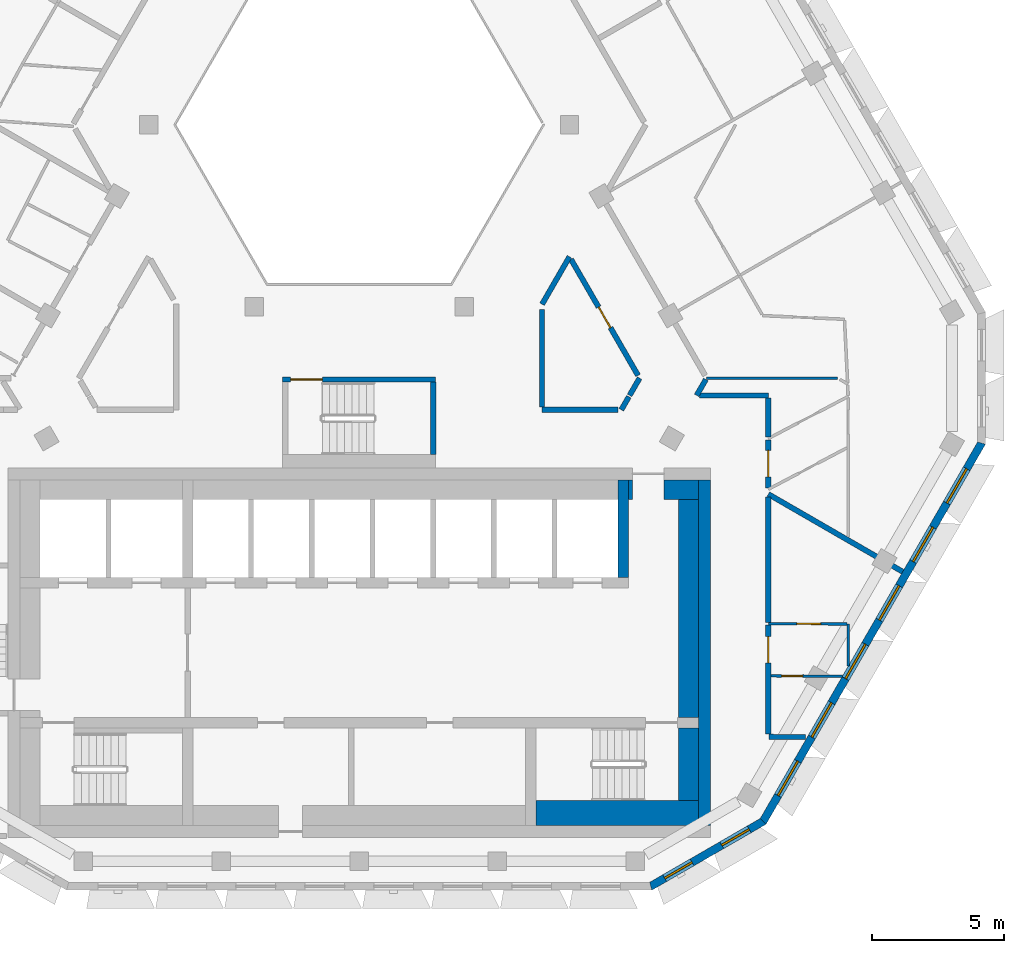
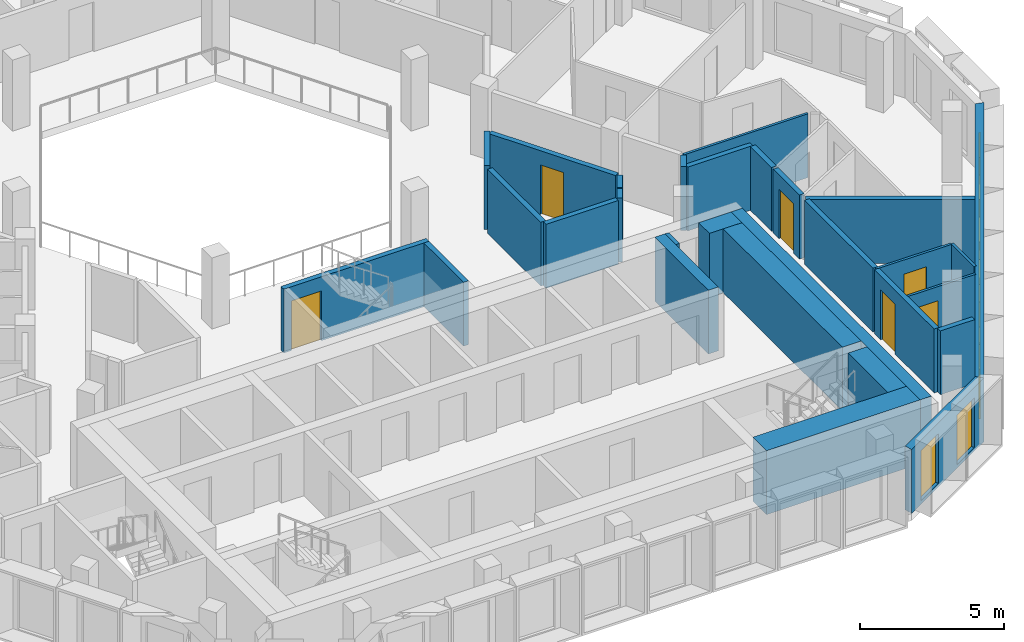
# One storey, part 6 of 16: 29 walls, 8 windows, 6 doors, 14 openings.
"""IFC4 building model written with IfcOpenShell, lengths in metres."""

from ifc_helpers import new_model, si_unit, direction, frame, frame_2d, origin, place, context, subcontext, project, spatial, polyline, rectangle, outline, extrude, material, layer, layer_set, type_object, element, fill, save


model = new_model("IFC4")

# Units and contexts
model_context = context("Model", 3, precision=1e-05, world=origin(), true_north=direction((0.0, 1.0)))
body_context = subcontext(model_context, "Body", "Model", "MODEL_VIEW")
ifc_project = project(units=[si_unit("LENGTHUNIT", "METRE"), si_unit("AREAUNIT", "SQUARE_METRE"), si_unit("VOLUMEUNIT", "CUBIC_METRE"), si_unit("PLANEANGLEUNIT", "RADIAN"), si_unit("MASSUNIT", "GRAM", prefix="KILO")], contexts=[model_context])

# Site, building, storey
site_placement = place(None, origin())
site = spatial("IfcSite", under=ifc_project, at=site_placement, CompositionType="ELEMENT")
building_placement = place(site_placement, origin())
building = spatial("IfcBuilding", under=site, at=building_placement, Name="Beryl Residences", CompositionType="ELEMENT")
storey_placement = place(building_placement, frame((0.0, 0.0, 214.800048828125)))
storey = spatial("IfcBuildingStorey", under=building, at=storey_placement, Name="L66", CompositionType="ELEMENT", Elevation=214.800048828125)

# Wall, openings, windows
ifc_material_1 = material(Name="Composite metal panel with mineral wool insulation")
ifc_layer_1 = layer(ifc_material_1, 0.300048828125)
ifc_layer_set_1 = layer_set([ifc_layer_1], Name="ES1 pale metal composite panel wall 300 mm")
wall_type_1 = type_object("IfcWallType", Name="ES1 pale metal composite panel wall 300 mm", PredefinedType="SOLIDWALL", material=ifc_layer_set_1)
wall_1_placement = place(storey_placement, frame((11.010009765625, -20.8701171875, 0.0), z_axis=(0.0, 0.0, 1.0), x_axis=(0.866022959057, 0.500004234368, 0.0)))
wall_1 = element("IfcWall", 1, at=wall_1_placement, inside=storey, type_object=wall_type_1, Name="ES1 external wall L66 S-SE", PredefinedType="SOLIDWALL", context=body_context, shape_type="SweptSolid", body=[
    extrude(outline(polyline([(0.0, -0.14990234375), (5.0, -0.14990234375), (4.919677734375, 0.14990234375), (0.080322265625, 0.14990234375), (0.0, -0.14990234375)])), origin(), (0.0, 0.0, 1.0), 2.699951171875),
])
opening_1_placement = place(wall_1_placement, frame((0.64990234375, 0.0, 0.14990234375)))
opening_1 = element("IfcOpeningElement", 2, at=opening_1_placement, cuts=wall_1, Name="Opening W2", PredefinedType="OPENING", context=body_context, shape_type="SweptSolid", body=[
    extrude(rectangle(XDim=1.199951171875, YDim=2.10009765625, at=frame_2d((0.60009765625, 1.050048828125))), frame((0.0, 0.159912109375, 0.0), z_axis=(0.0, -1.0, 0.0), x_axis=(1.0, 0.0, 0.0)), (0.0, 0.0, 1.0), 0.320068359375),
])
opening_2_placement = place(wall_1_placement, frame((3.14892578125, 0.0, 0.14990234375)))
opening_2 = element("IfcOpeningElement", 3, at=opening_2_placement, cuts=wall_1, Name="Opening W2", PredefinedType="OPENING", context=body_context, shape_type="SweptSolid", body=[
    extrude(rectangle(XDim=1.199951171875, YDim=2.10009765625, at=frame_2d((0.60009765625, 1.050048828125))), frame((0.0, 0.159912109375, 0.0), z_axis=(0.0, -1.0, 0.0), x_axis=(1.0, 0.0, 0.0)), (0.0, 0.0, 1.0), 0.320068359375),
])
ifc_material_2 = material(Name="Aluminium and clear glass", Category="aluminium")
window_type_1 = type_object("IfcWindowType", Name="W2 chamfer window 1200 x 2100 mm", PartitioningType="SINGLE_PANEL", PredefinedType="WINDOW", material=ifc_material_2)
window_1_placement = place(opening_1_placement, origin())
window_1 = element("IfcWindow", 4, at=window_1_placement, inside=storey, type_object=window_type_1, Name="W2 window L66 S-SE 1", OverallHeight=2.10009765625, OverallWidth=1.199951171875, PartitioningType="SINGLE_PANEL", PredefinedType="WINDOW", context=body_context, shape_type="SweptSolid", body=[
    extrude(rectangle(XDim=1.199951171875, YDim=2.10009765625, at=frame_2d((0.60009765625, 1.050048828125))), frame((0.0, 0.030029296875, 0.0), z_axis=(0.0, -1.0, 0.0), x_axis=(1.0, 0.0, 0.0)), (0.0, 0.0, 1.0), 0.06005859375),
])
fill(opening_1, window_1)
window_2_placement = place(opening_2_placement, origin())
window_2 = element("IfcWindow", 5, at=window_2_placement, inside=storey, type_object=window_type_1, Name="W2 window L66 S-SE 2", OverallHeight=2.10009765625, OverallWidth=1.199951171875, PartitioningType="SINGLE_PANEL", PredefinedType="WINDOW", context=body_context, shape_type="SweptSolid", body=[
    extrude(rectangle(XDim=1.199951171875, YDim=2.10009765625, at=frame_2d((0.60009765625, 1.050048828125))), frame((0.0, 0.030029296875, 0.0), z_axis=(0.0, -1.0, 0.0), x_axis=(1.0, 0.0, 0.0)), (0.0, 0.0, 1.0), 0.06005859375),
])
fill(opening_2, window_2)

wall_2_placement = place(storey_placement, frame((15.284912109375, -18.425048828125, 0.0), z_axis=(0.0, 0.0, 1.0), x_axis=(0.500012653391, 0.866018098222, 0.0)))
wall_2 = element("IfcWall", 6, at=wall_2_placement, inside=storey, type_object=wall_type_1, Name="ES1 external wall L66 SE", PredefinedType="SOLIDWALL", context=body_context, shape_type="SweptSolid", body=[
    extrude(outline(polyline([(0.0, -0.14990234375), (16.6279296875, -0.14990234375), (16.547607421875, 0.14990234375), (0.080322265625, 0.14990234375), (0.0, -0.14990234375)])), origin(), (0.0, 0.0, 1.0), 2.699951171875),
])
opening_3_placement = place(wall_2_placement, frame((1.1650390625, 0.0, 0.14990234375)))
opening_3 = element("IfcOpeningElement", 7, at=opening_3_placement, cuts=wall_2, Name="Opening W1", PredefinedType="OPENING", context=body_context, shape_type="SweptSolid", body=[
    extrude(rectangle(XDim=1.5, YDim=2.10009765625, at=frame_2d((0.75, 1.050048828125))), frame((0.0, 0.159912109375, 0.0), z_axis=(0.0, -1.0, 0.0), x_axis=(1.0, 0.0, 0.0)), (0.0, 0.0, 1.0), 0.320068359375),
])
opening_4_placement = place(wall_2_placement, frame((3.72412109375, 0.0, 0.14990234375)))
opening_4 = element("IfcOpeningElement", 8, at=opening_4_placement, cuts=wall_2, Name="Opening W1", PredefinedType="OPENING", context=body_context, shape_type="SweptSolid", body=[
    extrude(rectangle(XDim=1.5, YDim=2.10009765625, at=frame_2d((0.75, 1.050048828125))), frame((0.0, 0.159912109375, 0.0), z_axis=(0.0, -1.0, 0.0), x_axis=(1.0, 0.0, 0.0)), (0.0, 0.0, 1.0), 0.320068359375),
])
opening_5_placement = place(wall_2_placement, frame((6.282958984375, 0.0, 0.14990234375)))
opening_5 = element("IfcOpeningElement", 9, at=opening_5_placement, cuts=wall_2, Name="Opening W1", PredefinedType="OPENING", context=body_context, shape_type="SweptSolid", body=[
    extrude(rectangle(XDim=1.5, YDim=2.10009765625, at=frame_2d((0.75, 1.050048828125))), frame((0.0, 0.159912109375, 0.0), z_axis=(0.0, -1.0, 0.0), x_axis=(1.0, 0.0, 0.0)), (0.0, 0.0, 1.0), 0.320068359375),
])
opening_6_placement = place(wall_2_placement, frame((8.843017578125, 0.0, 0.14990234375)))
opening_6 = element("IfcOpeningElement", 10, at=opening_6_placement, cuts=wall_2, Name="Opening W1", PredefinedType="OPENING", context=body_context, shape_type="SweptSolid", body=[
    extrude(rectangle(XDim=1.5, YDim=2.10009765625, at=frame_2d((0.75, 1.050048828125))), frame((0.0, 0.159912109375, 0.0), z_axis=(0.0, -1.0, 0.0), x_axis=(1.0, 0.0, 0.0)), (0.0, 0.0, 1.0), 0.320068359375),
])
opening_7_placement = place(wall_2_placement, frame((11.402099609375, 0.0, 0.14990234375)))
opening_7 = element("IfcOpeningElement", 11, at=opening_7_placement, cuts=wall_2, Name="Opening W1", PredefinedType="OPENING", context=body_context, shape_type="SweptSolid", body=[
    extrude(rectangle(XDim=1.5, YDim=2.10009765625, at=frame_2d((0.75, 1.050048828125))), frame((0.0, 0.159912109375, 0.0), z_axis=(0.0, -1.0, 0.0), x_axis=(1.0, 0.0, 0.0)), (0.0, 0.0, 1.0), 0.320068359375),
])
opening_8_placement = place(wall_2_placement, frame((13.9619140625, 0.0, 0.14990234375)))
opening_8 = element("IfcOpeningElement", 12, at=opening_8_placement, cuts=wall_2, Name="Opening W1", PredefinedType="OPENING", context=body_context, shape_type="SweptSolid", body=[
    extrude(rectangle(XDim=1.5, YDim=2.10009765625, at=frame_2d((0.75, 1.050048828125))), frame((0.0, 0.159912109375, 0.0), z_axis=(0.0, -1.0, 0.0), x_axis=(1.0, 0.0, 0.0)), (0.0, 0.0, 1.0), 0.320068359375),
])
ifc_material_3 = material(Name="Aluminium and clear glass", Category="aluminium")
window_type_2 = type_object("IfcWindowType", Name="W1 cell window 1500 x 2100 mm", PartitioningType="SINGLE_PANEL", PredefinedType="WINDOW", material=ifc_material_3)
window_3_placement = place(opening_3_placement, origin())
window_3 = element("IfcWindow", 13, at=window_3_placement, inside=storey, type_object=window_type_2, Name="W1 window L66 SE 1", OverallHeight=2.10009765625, OverallWidth=1.5, PartitioningType="SINGLE_PANEL", PredefinedType="WINDOW", context=body_context, shape_type="SweptSolid", body=[
    extrude(rectangle(XDim=1.5, YDim=2.10009765625, at=frame_2d((0.75, 1.050048828125))), frame((0.0, 0.030029296875, 0.0), z_axis=(0.0, -1.0, 0.0), x_axis=(1.0, 0.0, 0.0)), (0.0, 0.0, 1.0), 0.06005859375),
])
fill(opening_3, window_3)
window_4_placement = place(opening_4_placement, origin())
window_4 = element("IfcWindow", 14, at=window_4_placement, inside=storey, type_object=window_type_2, Name="W1 window L66 SE 2", OverallHeight=2.10009765625, OverallWidth=1.5, PartitioningType="SINGLE_PANEL", PredefinedType="WINDOW", context=body_context, shape_type="SweptSolid", body=[
    extrude(rectangle(XDim=1.5, YDim=2.10009765625, at=frame_2d((0.75, 1.050048828125))), frame((0.0, 0.030029296875, 0.0), z_axis=(0.0, -1.0, 0.0), x_axis=(1.0, 0.0, 0.0)), (0.0, 0.0, 1.0), 0.06005859375),
])
fill(opening_4, window_4)
window_5_placement = place(opening_5_placement, origin())
window_5 = element("IfcWindow", 15, at=window_5_placement, inside=storey, type_object=window_type_2, Name="W1 window L66 SE 3", OverallHeight=2.10009765625, OverallWidth=1.5, PartitioningType="SINGLE_PANEL", PredefinedType="WINDOW", context=body_context, shape_type="SweptSolid", body=[
    extrude(rectangle(XDim=1.5, YDim=2.10009765625, at=frame_2d((0.75, 1.050048828125))), frame((0.0, 0.030029296875, 0.0), z_axis=(0.0, -1.0, 0.0), x_axis=(1.0, 0.0, 0.0)), (0.0, 0.0, 1.0), 0.06005859375),
])
fill(opening_5, window_5)
window_6_placement = place(opening_6_placement, origin())
window_6 = element("IfcWindow", 16, at=window_6_placement, inside=storey, type_object=window_type_2, Name="W1 window L66 SE 4", OverallHeight=2.10009765625, OverallWidth=1.5, PartitioningType="SINGLE_PANEL", PredefinedType="WINDOW", context=body_context, shape_type="SweptSolid", body=[
    extrude(rectangle(XDim=1.5, YDim=2.10009765625, at=frame_2d((0.75, 1.050048828125))), frame((0.0, 0.030029296875, 0.0), z_axis=(0.0, -1.0, 0.0), x_axis=(1.0, 0.0, 0.0)), (0.0, 0.0, 1.0), 0.06005859375),
])
fill(opening_6, window_6)
window_7_placement = place(opening_7_placement, origin())
window_7 = element("IfcWindow", 17, at=window_7_placement, inside=storey, type_object=window_type_2, Name="W1 window L66 SE 5", OverallHeight=2.10009765625, OverallWidth=1.5, PartitioningType="SINGLE_PANEL", PredefinedType="WINDOW", context=body_context, shape_type="SweptSolid", body=[
    extrude(rectangle(XDim=1.5, YDim=2.10009765625, at=frame_2d((0.75, 1.050048828125))), frame((0.0, 0.030029296875, 0.0), z_axis=(0.0, -1.0, 0.0), x_axis=(1.0, 0.0, 0.0)), (0.0, 0.0, 1.0), 0.06005859375),
])
fill(opening_7, window_7)
window_8_placement = place(opening_8_placement, origin())
window_8 = element("IfcWindow", 18, at=window_8_placement, inside=storey, type_object=window_type_2, Name="W1 window L66 SE 6", OverallHeight=2.10009765625, OverallWidth=1.5, PartitioningType="SINGLE_PANEL", PredefinedType="WINDOW", context=body_context, shape_type="SweptSolid", body=[
    extrude(rectangle(XDim=1.5, YDim=2.10009765625, at=frame_2d((0.75, 1.050048828125))), frame((0.0, 0.030029296875, 0.0), z_axis=(0.0, -1.0, 0.0), x_axis=(1.0, 0.0, 0.0)), (0.0, 0.0, 1.0), 0.06005859375),
])
fill(opening_8, window_8)

# Wall, opening, door
ifc_material_4 = material(Name="Gypsum board partition on steel studs", Category="steel")
ifc_layer_2 = layer(ifc_material_4, 0.10009765625)
ifc_layer_set_2 = layer_set([ifc_layer_2], Name="PT1 partition 100 mm gypsum board on steel studs")
wall_type_2 = type_object("IfcWallType", Name="PT1 partition 100 mm gypsum board on steel studs", PredefinedType="PARTITIONING", material=ifc_layer_set_2)
wall_3_placement = place(storey_placement, frame((15.5, -10.89990234375, 0.0), z_axis=(0.0, 0.0, 1.0), x_axis=(0.999985419789, -0.005400019449, 0.0)))
wall_3 = element("IfcWall", 19, at=wall_3_placement, inside=storey, type_object=wall_type_2, Name="Wall PT1 L66 001", PredefinedType="PARTITIONING", context=body_context, shape_type="SweptSolid", body=[
    extrude(rectangle(XDim=2.98388671875, YDim=0.10009765625, at=frame_2d((1.491943359375, 0.0))), origin(), (0.0, 0.0, 1.0), 2.699951171875),
])
opening_9_placement = place(wall_3_placement, frame((1.077880859375, 0.0, 0.0)))
opening_9 = element("IfcOpeningElement", 20, at=opening_9_placement, cuts=wall_3, Name="Opening D1827", PredefinedType="OPENING", context=body_context, shape_type="SweptSolid", body=[
    extrude(rectangle(XDim=0.89990234375, YDim=2.10009765625, at=frame_2d((0.449951171875, 1.050048828125))), frame((0.0, 0.06005859375, 0.0), z_axis=(0.0, -1.0, 0.0), x_axis=(1.0, 0.0, 0.0)), (0.0, 0.0, 1.0), 0.1201171875),
])
ifc_material_5 = material(Name="Timber door leaf", Category="wood")
door_type_1 = type_object("IfcDoorType", Name="D2 room door 900 x 2100 mm", OperationType="SINGLE_SWING_LEFT", PredefinedType="DOOR", material=ifc_material_5)
door_1_placement = place(opening_9_placement, origin())
door_1 = element("IfcDoor", 21, at=door_1_placement, inside=storey, type_object=door_type_1, Name="Door D1827 L66 001", OperationType="SINGLE_SWING_LEFT", OverallHeight=2.10009765625, OverallWidth=0.89990234375, PredefinedType="DOOR", context=body_context, shape_type="SweptSolid", body=[
    extrude(rectangle(XDim=0.89990234375, YDim=2.10009765625, at=frame_2d((0.449951171875, 1.050048828125))), frame((0.0, 0.02490234375, 0.0), z_axis=(0.0, -1.0, 0.0), x_axis=(1.0, 0.0, 0.0)), (0.0, 0.0, 1.0), 0.050048828125),
])
fill(opening_9, door_1)

wall_4_placement = place(storey_placement, frame((15.60009765625, -12.881103515625, 0.0), z_axis=(0.0, 0.0, 1.0), x_axis=(0.999986765426, -0.00514480058, 0.0)))
wall_4 = element("IfcWall", 22, at=wall_4_placement, inside=storey, type_object=wall_type_2, Name="Wall PT1 L66 002", PredefinedType="PARTITIONING", context=body_context, shape_type="SweptSolid", body=[
    extrude(rectangle(XDim=2.704833984375, YDim=0.10009765625, at=frame_2d((1.3525390625, 0.0))), origin(), (0.0, 0.0, 1.0), 2.699951171875),
])
opening_10_placement = place(wall_4_placement, frame((0.402099609375, 0.0, 0.0)))
opening_10 = element("IfcOpeningElement", 23, at=opening_10_placement, cuts=wall_4, Name="Opening D1828", PredefinedType="OPENING", context=body_context, shape_type="SweptSolid", body=[
    extrude(rectangle(XDim=0.800048828125, YDim=2.10009765625, at=frame_2d((0.39990234375, 1.050048828125))), frame((0.0, 0.06005859375, 0.0), z_axis=(0.0, -1.0, 0.0), x_axis=(1.0, 0.0, 0.0)), (0.0, 0.0, 1.0), 0.1201171875),
])
ifc_material_6 = material(Name="Timber door leaf", Category="wood")
door_type_2 = type_object("IfcDoorType", Name="D3 bathroom door 800 x 2100 mm", OperationType="SINGLE_SWING_LEFT", PredefinedType="DOOR", material=ifc_material_6)
door_2_placement = place(opening_10_placement, origin())
door_2 = element("IfcDoor", 24, at=door_2_placement, inside=storey, type_object=door_type_2, Name="Door D1828 L66 001", OperationType="SINGLE_SWING_RIGHT", OverallHeight=2.10009765625, OverallWidth=0.800048828125, PredefinedType="DOOR", context=body_context, shape_type="SweptSolid", body=[
    extrude(rectangle(XDim=0.800048828125, YDim=2.10009765625, at=frame_2d((0.39990234375, 1.050048828125))), frame((0.0, 0.02490234375, 0.0), z_axis=(0.0, -1.0, 0.0), x_axis=(1.0, 0.0, 0.0)), (0.0, 0.0, 1.0), 0.050048828125),
])
fill(opening_10, door_2)

# Walls
wall_5_placement = place(storey_placement, frame((13.1630859375, -1.59912109375, 0.0), z_axis=(0.0, 0.0, 1.0), x_axis=(1.0, 0.0, 0.0)))
element("IfcWall", 25, at=wall_5_placement, inside=storey, type_object=wall_type_2, Name="Wall PT1 L66 025", PredefinedType="PARTITIONING", context=body_context, shape_type="SweptSolid", body=[
    extrude(rectangle(XDim=4.9619140625, YDim=0.10009765625, at=frame_2d((2.48095703125, 0.0))), origin(), (0.0, 0.0, 1.0), 2.699951171875),
])
wall_6_placement = place(storey_placement, frame((18.527099609375, -12.509033203125, 0.0), z_axis=(0.0, 0.0, 1.0), x_axis=(0.004907163735, 0.9999879598, 0.0)))
element("IfcWall", 26, at=wall_6_placement, inside=storey, type_object=wall_type_2, Name="Wall PT1 L66 036", PredefinedType="PARTITIONING", context=body_context, shape_type="SweptSolid", body=[
    extrude(rectangle(XDim=1.592041015625, YDim=0.10009765625, at=frame_2d((0.7958984375, 0.0))), origin(), (0.0, 0.0, 1.0), 2.699951171875),
])
ifc_material_7 = material(Name="Concrete masonry", Category="masonry")
ifc_layer_3 = layer(ifc_material_7, 0.14990234375)
ifc_layer_set_3 = layer_set([ifc_layer_3], Name="PT13-150 lobby wall 150 mm")
wall_type_3 = type_object("IfcWallType", Name="PT13-150 lobby wall 150 mm", PredefinedType="PARTITIONING", material=ifc_layer_set_3)
wall_7_placement = place(storey_placement, frame((10.27490234375, -6.199951171875, 0.0), z_axis=(0.0, 0.0, 1.0), x_axis=(0.0, 1.0, 0.0)))
element("IfcWall", 27, at=wall_7_placement, inside=storey, type_object=wall_type_3, Name="Lobby wall 24", PredefinedType="PARTITIONING", context=body_context, shape_type="SweptSolid", body=[
    extrude(rectangle(XDim=0.75, YDim=0.14990234375, at=frame_2d((0.375, 0.0))), origin(), (0.0, 0.0, 1.0), 2.699951171875),
])
ifc_material_8 = material(Name="Concrete masonry", Category="masonry")
ifc_layer_4 = layer(ifc_material_8, 0.75)
ifc_layer_set_4 = layer_set([ifc_layer_4], Name="PT13-750 lobby wall 750 mm")
wall_type_4 = type_object("IfcWallType", Name="PT13-750 lobby wall 750 mm", PredefinedType="PARTITIONING", material=ifc_layer_set_4)
wall_8_placement = place(storey_placement, frame((11.550048828125, -5.824951171875, 0.0), z_axis=(0.0, 0.0, 1.0), x_axis=(1.0, 0.0, 0.0)))
element("IfcWall", 28, at=wall_8_placement, inside=storey, type_object=wall_type_4, Name="Lobby wall 25", PredefinedType="PARTITIONING", context=body_context, shape_type="SweptSolid", body=[
    extrude(rectangle(XDim=1.300048828125, YDim=0.75, at=frame_2d((0.64990234375, 0.0))), origin(), (0.0, 0.0, 1.0), 2.699951171875),
])
wall_9_placement = place(storey_placement, frame((12.47509765625, -14.449951171875, 0.0), z_axis=(0.0, 0.0, 1.0), x_axis=(0.0, 1.0, 0.0)))
element("IfcWall", 29, at=wall_9_placement, inside=storey, type_object=wall_type_4, Name="Lobby wall 27", PredefinedType="PARTITIONING", context=body_context, shape_type="SweptSolid", body=[
    extrude(rectangle(XDim=8.25, YDim=0.75, at=frame_2d((4.125, 0.0))), origin(), (0.0, 0.0, 1.0), 2.699951171875),
])
ifc_material_9 = material(Name="Acoustic double stud gypsum board wall")
ifc_layer_5 = layer(ifc_material_9, 0.199951171875)
ifc_layer_set_5 = layer_set([ifc_layer_5], Name="PT3 party wall 200 mm acoustic double stud")
wall_type_5 = type_object("IfcWallType", Name="PT3 party wall 200 mm acoustic double stud", PredefinedType="PARTITIONING", material=ifc_layer_set_5)
wall_10_placement = place(storey_placement, frame((15.530029296875, -15.19091796875, 0.0), z_axis=(0.0, 0.0, 1.0), x_axis=(0.999986762212, -0.005145425143, 0.0)))
element("IfcWall", 30, at=wall_10_placement, inside=storey, type_object=wall_type_5, Name="Wall PT3 L66 001", PredefinedType="PARTITIONING", context=body_context, shape_type="SweptSolid", body=[
    extrude(rectangle(XDim=1.3759765625, YDim=0.199951171875, at=frame_2d((0.68798828125, 0.0))), origin(), (0.0, 0.0, 1.0), 2.699951171875),
])
wall_11_placement = place(storey_placement, frame((15.5, -5.9951171875, 0.0), z_axis=(0.0, 0.0, 1.0), x_axis=(0.866052111102, -0.499953738716, 0.0)))
element("IfcWall", 31, at=wall_11_placement, inside=storey, type_object=wall_type_5, Name="Wall PT3 L66 005", PredefinedType="PARTITIONING", context=body_context, shape_type="SweptSolid", body=[
    extrude(rectangle(XDim=5.87841796875, YDim=0.199951171875, at=frame_2d((2.939208984375, 0.0))), origin(), (0.0, 0.0, 1.0), 2.699951171875),
])

# Wall, opening, door
ifc_material_10 = material(Name="Double stud gypsum board wall")
ifc_layer_6 = layer(ifc_material_10, 0.199951171875)
ifc_layer_set_6 = layer_set([ifc_layer_6], Name="PT4 corridor wall 200 mm double stud")
wall_type_6 = type_object("IfcWallType", Name="PT4 corridor wall 200 mm double stud", PredefinedType="PARTITIONING", material=ifc_layer_set_6)
wall_12_placement = place(storey_placement, frame((8.02587890625, 2.89892578125, 0.0), z_axis=(0.0, 0.0, 1.0), x_axis=(0.499986018985, -0.866033475577, 0.0)))
wall_12 = element("IfcWall", 32, at=wall_12_placement, inside=storey, type_object=wall_type_6, Name="Wall PT4 L66 005", PredefinedType="PARTITIONING", context=body_context, shape_type="SweptSolid", body=[
    extrude(rectangle(XDim=5.078369140625, YDim=0.199951171875, at=frame_2d((2.5390625, 0.0))), origin(), (0.0, 0.0, 1.0), 2.699951171875),
])
opening_11_placement = place(wall_12_placement, frame((2.089111328125, 0.0, 0.0)))
opening_11 = element("IfcOpeningElement", 33, at=opening_11_placement, cuts=wall_12, Name="Opening D1843", PredefinedType="OPENING", context=body_context, shape_type="SweptSolid", body=[
    extrude(rectangle(XDim=0.89990234375, YDim=2.10009765625, at=frame_2d((0.449951171875, 1.050048828125))), frame((0.0, 0.10986328125, 0.0), z_axis=(0.0, -1.0, 0.0), x_axis=(1.0, 0.0, 0.0)), (0.0, 0.0, 1.0), 0.219970703125),
])
door_3_placement = place(opening_11_placement, origin())
door_3 = element("IfcDoor", 34, at=door_3_placement, inside=storey, type_object=door_type_1, Name="Door D1843 L66 001", OperationType="SINGLE_SWING_LEFT", OverallHeight=2.10009765625, OverallWidth=0.89990234375, PredefinedType="DOOR", context=body_context, shape_type="SweptSolid", body=[
    extrude(rectangle(XDim=0.89990234375, YDim=2.10009765625, at=frame_2d((0.449951171875, 1.050048828125))), frame((0.0, 0.02490234375, 0.0), z_axis=(0.0, -1.0, 0.0), x_axis=(1.0, 0.0, 0.0)), (0.0, 0.0, 1.0), 0.050048828125),
])
fill(opening_11, door_3)

# Walls
wall_13_placement = place(storey_placement, frame((6.927978515625, 1.0, 0.0), z_axis=(0.0, 0.0, 1.0), x_axis=(0.0, -1.0, 0.0)))
element("IfcWall", 35, at=wall_13_placement, inside=storey, type_object=wall_type_6, Name="Wall PT4 L66 009", PredefinedType="PARTITIONING", context=body_context, shape_type="SweptSolid", body=[
    extrude(rectangle(XDim=3.698974609375, YDim=0.199951171875, at=frame_2d((1.849609375, 0.0))), origin(), (0.0, 0.0, 1.0), 2.699951171875),
])
wall_14_placement = place(storey_placement, frame((15.5, -2.35595703125, 0.0), z_axis=(0.0, 0.0, 1.0), x_axis=(0.0, -1.0, 0.0)))
element("IfcWall", 36, at=wall_14_placement, inside=storey, type_object=wall_type_6, Name="Wall PT4 L66 010", PredefinedType="PARTITIONING", context=body_context, shape_type="SweptSolid", body=[
    extrude(rectangle(XDim=1.47802734375, YDim=0.199951171875, at=frame_2d((0.739013671875, 0.0))), origin(), (0.0, 0.0, 1.0), 2.699951171875),
])
wall_15_placement = place(storey_placement, frame((15.5, -6.110107421875, 0.0), z_axis=(0.0, 0.0, 1.0), x_axis=(0.0, -1.0, 0.0)))
element("IfcWall", 37, at=wall_15_placement, inside=storey, type_object=wall_type_6, Name="Wall PT4 L66 011", PredefinedType="PARTITIONING", context=body_context, shape_type="SweptSolid", body=[
    extrude(rectangle(XDim=4.739990234375, YDim=0.199951171875, at=frame_2d((2.3701171875, 0.0))), origin(), (0.0, 0.0, 1.0), 2.699951171875),
])
wall_16_placement = place(storey_placement, frame((12.902099609375, -2.256103515625, 0.0), z_axis=(0.0, 0.0, 1.0), x_axis=(1.0, 0.0, 0.0)))
element("IfcWall", 38, at=wall_16_placement, inside=storey, type_object=wall_type_6, Name="Wall PT4 L66 015", PredefinedType="PARTITIONING", context=body_context, shape_type="SweptSolid", body=[
    extrude(rectangle(XDim=2.597900390625, YDim=0.199951171875, at=frame_2d((1.298828125, 0.0))), origin(), (0.0, 0.0, 1.0), 2.699951171875),
])
wall_17_placement = place(storey_placement, frame((6.928955078125, -2.800048828125, 0.0), z_axis=(0.0, 0.0, 1.0), x_axis=(1.0, 0.0, 0.0)))
element("IfcWall", 39, at=wall_17_placement, inside=storey, type_object=wall_type_6, Name="Wall PT4 L66 018", PredefinedType="PARTITIONING", context=body_context, shape_type="SweptSolid", body=[
    extrude(rectangle(XDim=2.885009765625, YDim=0.199951171875, at=frame_2d((1.4423828125, 0.0))), origin(), (0.0, 0.0, 1.0), 2.699951171875),
])
wall_18_placement = place(storey_placement, frame((6.927978515625, 1.199951171875, 0.0), z_axis=(0.0, 0.0, 1.0), x_axis=(0.500132712588, 0.865948768577, 0.0)))
element("IfcWall", 40, at=wall_18_placement, inside=storey, type_object=wall_type_6, Name="Wall PT4 L66 020", PredefinedType="PARTITIONING", context=body_context, shape_type="SweptSolid", body=[
    extrude(rectangle(XDim=2.07763671875, YDim=0.199951171875, at=frame_2d((1.038818359375, 0.0))), origin(), (0.0, 0.0, 1.0), 2.699951171875),
])
wall_19_placement = place(storey_placement, frame((9.929931640625, -2.800048828125, 0.0), z_axis=(0.0, 0.0, 1.0), x_axis=(0.500164219654, 0.865930570761, 0.0)))
element("IfcWall", 41, at=wall_19_placement, inside=storey, type_object=wall_type_6, Name="Wall PT4 L66 022", PredefinedType="PARTITIONING", context=body_context, shape_type="SweptSolid", body=[
    extrude(rectangle(XDim=0.573974609375, YDim=0.199951171875, at=frame_2d((0.287109375, 0.0))), origin(), (0.0, 0.0, 1.0), 2.699951171875),
])
wall_20_placement = place(storey_placement, frame((10.243896484375, -2.2548828125, 0.0), z_axis=(0.0, 0.0, 1.0), x_axis=(0.50109986513, 0.865389464442, 0.0)))
element("IfcWall", 42, at=wall_20_placement, inside=storey, type_object=wall_type_6, Name="Wall PT4 L66 023", PredefinedType="PARTITIONING", context=body_context, shape_type="SweptSolid", body=[
    extrude(rectangle(XDim=0.756591796875, YDim=0.199951171875, at=frame_2d((0.37841796875, 0.0))), origin(), (0.0, 0.0, 1.0), 2.699951171875),
])
wall_21_placement = place(storey_placement, frame((12.784912109375, -2.25390625, 0.0), z_axis=(0.0, 0.0, 1.0), x_axis=(0.500871040665, 0.865521923826, 0.0)))
element("IfcWall", 43, at=wall_21_placement, inside=storey, type_object=wall_type_6, Name="Wall PT4 L66 024", PredefinedType="PARTITIONING", context=body_context, shape_type="SweptSolid", body=[
    extrude(rectangle(XDim=0.698974609375, YDim=0.199951171875, at=frame_2d((0.349609375, 0.0))), origin(), (0.0, 0.0, 1.0), 2.699951171875),
])

# Wall, opening, door
wall_22_placement = place(storey_placement, frame((15.5, -15.090087890625, 0.0), z_axis=(0.0, 0.0, 1.0), x_axis=(0.0, 1.0, 0.0)))
wall_22 = element("IfcWall", 44, at=wall_22_placement, inside=storey, type_object=wall_type_6, Name="Wall PT4 L66 029", PredefinedType="PARTITIONING", context=body_context, shape_type="SweptSolid", body=[
    extrude(rectangle(XDim=4.14013671875, YDim=0.199951171875, at=frame_2d((2.070068359375, 0.0))), origin(), (0.0, 0.0, 1.0), 2.699951171875),
])
opening_12_placement = place(wall_22_placement, frame((2.699951171875, 0.0, 0.0)))
opening_12 = element("IfcOpeningElement", 45, at=opening_12_placement, cuts=wall_22, Name="Opening D1826", PredefinedType="OPENING", context=body_context, shape_type="SweptSolid", body=[
    extrude(rectangle(XDim=1.0, YDim=2.10009765625, at=frame_2d((0.5, 1.050048828125))), frame((0.0, 0.10986328125, 0.0), z_axis=(0.0, -1.0, 0.0), x_axis=(1.0, 0.0, 0.0)), (0.0, 0.0, 1.0), 0.219970703125),
])
ifc_material_11 = material(Name="Timber door leaf", Category="wood")
door_type_3 = type_object("IfcDoorType", Name="D1 flat entrance door 1000 x 2100 mm", OperationType="SINGLE_SWING_LEFT", PredefinedType="DOOR", material=ifc_material_11)
door_4_placement = place(opening_12_placement, origin())
door_4 = element("IfcDoor", 46, at=door_4_placement, inside=storey, type_object=door_type_3, Name="Door D1826 L66 001", OperationType="SINGLE_SWING_RIGHT", OverallHeight=2.10009765625, OverallWidth=1.0, PredefinedType="DOOR", context=body_context, shape_type="SweptSolid", body=[
    extrude(rectangle(XDim=1.0, YDim=2.10009765625, at=frame_2d((0.5, 1.050048828125))), frame((0.0, 0.02490234375, 0.0), z_axis=(0.0, -1.0, 0.0), x_axis=(1.0, 0.0, 0.0)), (0.0, 0.0, 1.0), 0.050048828125),
])
fill(opening_12, door_4)

wall_23_placement = place(storey_placement, frame((15.5, -5.756103515625, 0.0), z_axis=(0.0, 0.0, 1.0), x_axis=(0.0, 1.0, 0.0)))
wall_23 = element("IfcWall", 47, at=wall_23_placement, inside=storey, type_object=wall_type_6, Name="Wall PT4 L66 030", PredefinedType="PARTITIONING", context=body_context, shape_type="SweptSolid", body=[
    extrude(rectangle(XDim=1.80908203125, YDim=0.199951171875, at=frame_2d((0.904541015625, 0.0))), origin(), (0.0, 0.0, 1.0), 2.699951171875),
])
opening_13_placement = place(wall_23_placement, frame((0.419921875, 0.0, 0.0)))
opening_13 = element("IfcOpeningElement", 48, at=opening_13_placement, cuts=wall_23, Name="Opening D1829", PredefinedType="OPENING", context=body_context, shape_type="SweptSolid", body=[
    extrude(rectangle(XDim=1.0, YDim=2.10009765625, at=frame_2d((0.5, 1.050048828125))), frame((0.0, 0.10986328125, 0.0), z_axis=(0.0, -1.0, 0.0), x_axis=(1.0, 0.0, 0.0)), (0.0, 0.0, 1.0), 0.219970703125),
])
door_5_placement = place(opening_13_placement, origin())
door_5 = element("IfcDoor", 49, at=door_5_placement, inside=storey, type_object=door_type_3, Name="Door D1829 L66 001", OperationType="SINGLE_SWING_LEFT", OverallHeight=2.10009765625, OverallWidth=1.0, PredefinedType="DOOR", context=body_context, shape_type="SweptSolid", body=[
    extrude(rectangle(XDim=1.0, YDim=2.10009765625, at=frame_2d((0.5, 1.050048828125))), frame((0.0, 0.02490234375, 0.0), z_axis=(0.0, -1.0, 0.0), x_axis=(1.0, 0.0, 0.0)), (0.0, 0.0, 1.0), 0.050048828125),
])
fill(opening_13, door_5)

ifc_material_12 = material(Name="Concrete C40/50", Category="concrete")
ifc_layer_7 = layer(ifc_material_12, 0.199951171875)
ifc_layer_set_7 = layer_set([ifc_layer_7], Name="PT5 stair enclosure wall 200 mm reinforced concrete C40/50")
wall_type_7 = type_object("IfcWallType", Name="PT5 stair enclosure wall 200 mm reinforced concrete C40/50", PredefinedType="SOLIDWALL", material=ifc_layer_set_7)
wall_24_placement = place(storey_placement, frame((-2.89990234375, -1.64990234375, 0.0), z_axis=(0.0, 0.0, 1.0), x_axis=(1.0, 0.0, 0.0)))
wall_24 = element("IfcWall", 50, at=wall_24_placement, inside=storey, type_object=wall_type_7, Name="Wall PT5 L66 001", PredefinedType="SOLIDWALL", context=body_context, shape_type="SweptSolid", body=[
    extrude(rectangle(XDim=5.7998046875, YDim=0.199951171875, at=frame_2d((2.89990234375, 0.0))), origin(), (0.0, 0.0, 1.0), 2.699951171875),
])
opening_14_placement = place(wall_24_placement, frame((0.300048828125, 0.0, 0.0)))
opening_14 = element("IfcOpeningElement", 51, at=opening_14_placement, cuts=wall_24, Name="Opening DS04", PredefinedType="OPENING", context=body_context, shape_type="SweptSolid", body=[
    extrude(rectangle(XDim=1.199951171875, YDim=2.10009765625, at=frame_2d((0.60009765625, 1.050048828125))), frame((0.0, 0.10986328125, 0.0), z_axis=(0.0, -1.0, 0.0), x_axis=(1.0, 0.0, 0.0)), (0.0, 0.0, 1.0), 0.219970703125),
])
ifc_material_13 = material(Name="Steel door leaf in steel frame", Category="steel")
door_type_4 = type_object("IfcDoorType", Name="D4 stair door 1200 x 2100 mm", OperationType="SINGLE_SWING_LEFT", PredefinedType="DOOR", material=ifc_material_13)
door_6_placement = place(opening_14_placement, origin())
door_6 = element("IfcDoor", 52, at=door_6_placement, inside=storey, type_object=door_type_4, Name="Door DS04 L66 001", OperationType="SINGLE_SWING_LEFT", OverallHeight=2.10009765625, OverallWidth=1.199951171875, PredefinedType="DOOR", context=body_context, shape_type="SweptSolid", body=[
    extrude(rectangle(XDim=1.199951171875, YDim=2.10009765625, at=frame_2d((0.60009765625, 1.050048828125))), frame((0.0, 0.02490234375, 0.0), z_axis=(0.0, -1.0, 0.0), x_axis=(1.0, 0.0, 0.0)), (0.0, 0.0, 1.0), 0.050048828125),
])
fill(opening_14, door_6)

# Walls
wall_25_placement = place(storey_placement, frame((2.800048828125, -4.5, 0.0), z_axis=(0.0, 0.0, 1.0), x_axis=(0.0, 1.0, 0.0)))
element("IfcWall", 53, at=wall_25_placement, inside=storey, type_object=wall_type_7, Name="Wall PT5 L66 003", PredefinedType="SOLIDWALL", context=body_context, shape_type="SweptSolid", body=[
    extrude(rectangle(XDim=2.75, YDim=0.199951171875, at=frame_2d((1.375, 0.0))), origin(), (0.0, 0.0, 1.0), 2.699951171875),
])
ifc_material_14 = material(Name="Concrete C40/50", Category="concrete")
ifc_layer_8 = layer(ifc_material_14, 0.75)
ifc_layer_set_8 = layer_set([ifc_layer_8], Name="PT5-750 stair enclosure wall 750 mm")
wall_type_8 = type_object("IfcWallType", Name="PT5-750 stair enclosure wall 750 mm", PredefinedType="SOLIDWALL", material=ifc_layer_set_8)
wall_26_placement = place(storey_placement, frame((12.47509765625, -17.60009765625, 0.0), z_axis=(0.0, 0.0, 1.0), x_axis=(0.0, 1.0, 0.0)))
element("IfcWall", 54, at=wall_26_placement, inside=storey, type_object=wall_type_8, Name="Stair wall 26", PredefinedType="SOLIDWALL", context=body_context, shape_type="SweptSolid", body=[
    extrude(rectangle(XDim=2.75, YDim=0.75, at=frame_2d((1.375, 0.0))), origin(), (0.0, 0.0, 1.0), 2.699951171875),
])
ifc_material_15 = material(Name="Concrete C40/50", Category="concrete")
ifc_layer_9 = layer(ifc_material_15, 0.949951171875)
ifc_layer_set_9 = layer_set([ifc_layer_9], Name="PT5-950 stair enclosure wall 950 mm")
wall_type_9 = type_object("IfcWallType", Name="PT5-950 stair enclosure wall 950 mm", PredefinedType="SOLIDWALL", material=ifc_layer_set_9)
wall_27_placement = place(storey_placement, frame((6.699951171875, -18.074951171875, 0.0), z_axis=(0.0, 0.0, 1.0), x_axis=(1.0, 0.0, 0.0)))
element("IfcWall", 55, at=wall_27_placement, inside=storey, type_object=wall_type_9, Name="Stair wall 22", PredefinedType="SOLIDWALL", context=body_context, shape_type="SweptSolid", body=[
    extrude(rectangle(XDim=6.150146484375, YDim=0.949951171875, at=frame_2d((3.0751953125, 0.0))), origin(), (0.0, 0.0, 1.0), 2.699951171875),
])
ifc_material_16 = material(Name="Concrete C50/60", Category="concrete")
ifc_layer_10 = layer(ifc_material_16, 0.39990234375)
ifc_layer_set_10 = layer_set([ifc_layer_10], Name="SW10 core internal wall 400 mm C50/60")
wall_type_10 = type_object("IfcWallType", Name="SW10 core internal wall 400 mm C50/60", PredefinedType="SHEAR", material=ifc_layer_set_10)
wall_28_placement = place(storey_placement, frame((10.0, -9.14990234375, 0.0), z_axis=(0.0, 0.0, 1.0), x_axis=(0.0, 1.0, 0.0)))
element("IfcWall", 56, at=wall_28_placement, inside=storey, type_object=wall_type_10, Name="Core wall XN2 L66", PredefinedType="SHEAR", context=body_context, shape_type="SweptSolid", body=[
    extrude(rectangle(XDim=3.699951171875, YDim=0.39990234375, at=frame_2d((1.85009765625, 0.0))), origin(), (0.0, 0.0, 1.0), 2.699951171875),
])
ifc_material_17 = material(Name="Concrete C50/60", Category="concrete")
ifc_layer_11 = layer(ifc_material_17, 0.449951171875)
ifc_layer_set_11 = layer_set([ifc_layer_11], Name="SW5 core outer wall 450 mm C50/60")
wall_type_11 = type_object("IfcWallType", Name="SW5 core outer wall 450 mm C50/60", PredefinedType="SHEAR", material=ifc_layer_set_11)
wall_29_placement = place(storey_placement, frame((13.074951171875, -18.550048828125, 0.0), z_axis=(0.0, 0.0, 1.0), x_axis=(0.0, 1.0, 0.0)))
element("IfcWall", 57, at=wall_29_placement, inside=storey, type_object=wall_type_11, Name="Core wall E L66", PredefinedType="SHEAR", context=body_context, shape_type="SweptSolid", body=[
    extrude(rectangle(XDim=13.10009765625, YDim=0.449951171875, at=frame_2d((6.550048828125, 0.0))), origin(), (0.0, 0.0, 1.0), 2.699951171875),
])

save(model, "model.ifc")
